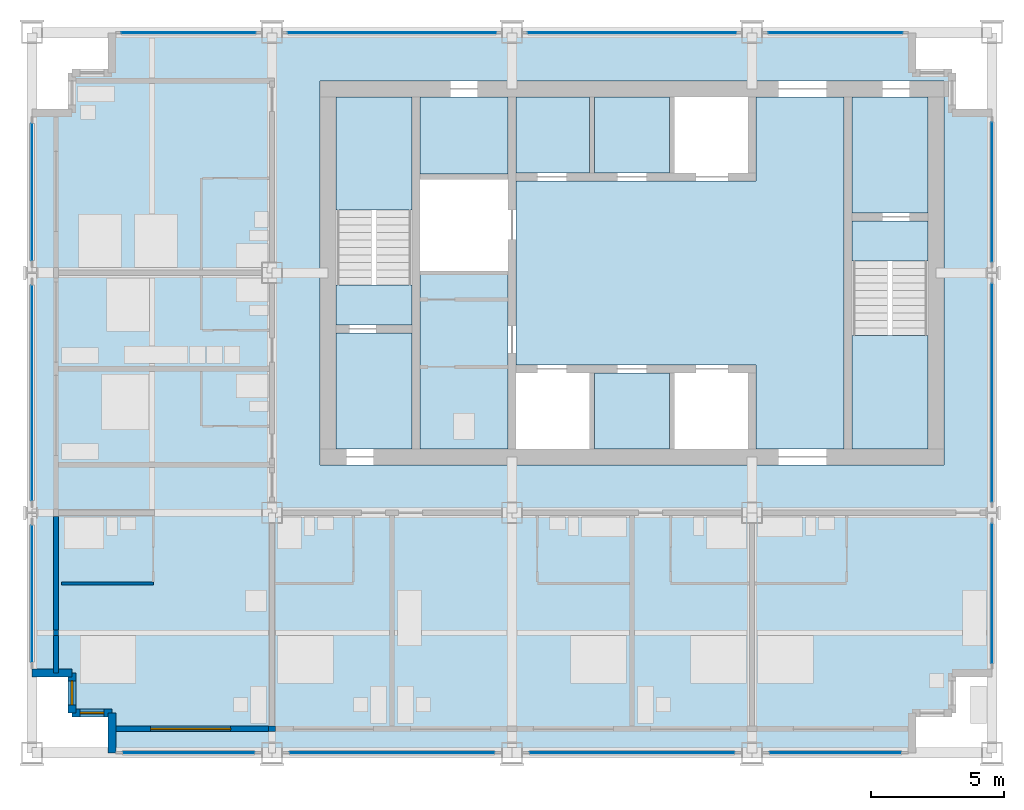
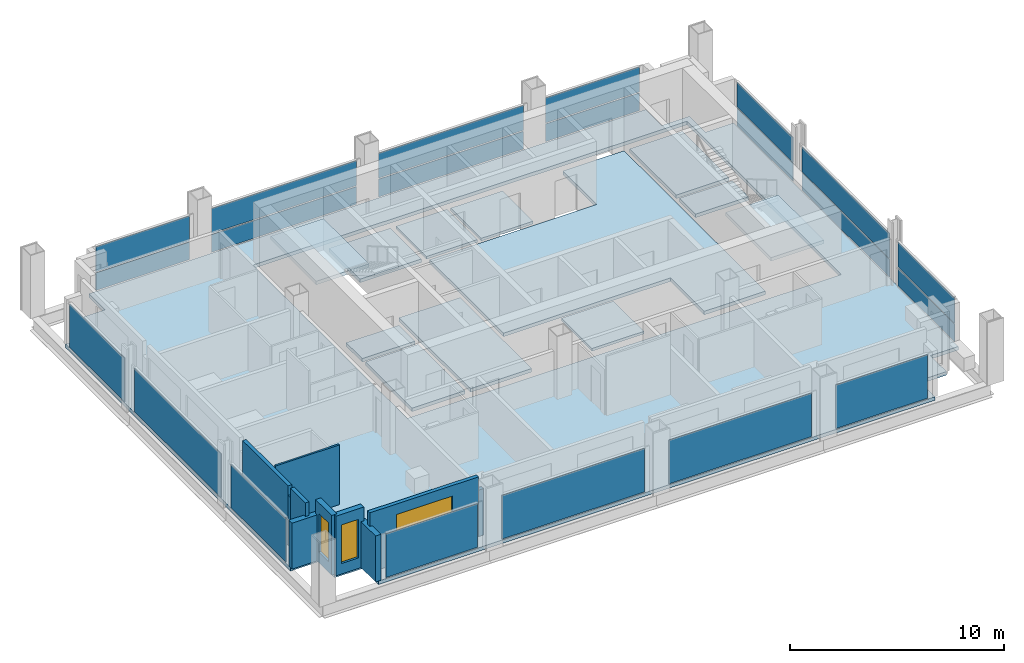
# One storey, part 5 of 12: 21 plates, 13 slabs, 10 walls, 3 windows, 3 openings, 16 elements without a shape of their own.
"""IFC4 building model written with IfcOpenShell, lengths in metres."""

from ifc_helpers import new_model, si_unit, direction, frame, frame_2d, origin, origin_2d, place, context, subcontext, project, spatial, polyline, rectangle, outline, extrude, material, layer, layer_set, type_object, element, fill, aggregate, save


model = new_model("IFC4")

# Units and contexts
model_context = context("Model", 3, precision=1e-05, world=origin(), true_north=direction((0.0, 1.0)))
body_context = subcontext(model_context, "Body", "Model", "MODEL_VIEW")
ifc_project = project(units=[si_unit("LENGTHUNIT", "METRE"), si_unit("AREAUNIT", "SQUARE_METRE"), si_unit("VOLUMEUNIT", "CUBIC_METRE"), si_unit("PLANEANGLEUNIT", "RADIAN"), si_unit("MASSUNIT", "GRAM", prefix="KILO")], contexts=[model_context])

# Site, building, storey
site_placement = place(None, origin())
site = spatial("IfcSite", under=ifc_project, at=site_placement, CompositionType="ELEMENT")
building_placement = place(site_placement, origin())
building = spatial("IfcBuilding", under=site, at=building_placement, Name="Loomwork Tower", CompositionType="ELEMENT")
storey_placement = place(building_placement, frame((0.0, 0.0, 237.39990234375)))
storey = spatial("IfcBuildingStorey", under=building, at=storey_placement, Name="L65", CompositionType="ELEMENT", Elevation=237.39990234375)

# Slabs
ifc_material_1 = material(Name="Concrete 5000 psi (34 MPa) on composite metal deck", Category="concrete")
ifc_layer_1 = layer(ifc_material_1, 0.199951171875)
ifc_layer_set_1 = layer_set([ifc_layer_1], Name="Floor slab 200")
slab_type_1 = type_object("IfcSlabType", Name="Floor slab 200", PredefinedType="FLOOR", material=ifc_layer_set_1)
slab_1_placement = place(storey_placement, frame((0.0, 0.0, -0.199951171875)))
element("IfcSlab", 1, at=slab_1_placement, inside=storey, type_object=slab_type_1, Name="Floor slab L65", PredefinedType="FLOOR", context=body_context, shape_type="SweptSolid", body=[
    extrude(outline(polyline([(3.0, 1.5), (1.5, 1.5), (1.5, 3.0), (0.0, 3.0), (0.0, 24.0), (1.5, 24.0), (1.5, 25.5), (3.0, 25.5), (3.0, 27.0), (33.0, 27.0), (33.0, 25.5), (34.5, 25.5), (34.5, 24.0), (36.0, 24.0), (36.0, 3.0), (34.5, 3.0), (34.5, 1.5), (33.0, 1.5), (33.0, 0.0), (3.0, 0.0), (3.0, 1.5)]), holes=[polyline([(10.800048828125, 11.39990234375), (10.800048828125, 11.39990234375), (10.800048828125, 10.800048828125), (34.199951171875, 10.800048828125), (34.199951171875, 11.39990234375), (34.199951171875, 11.39990234375), (34.199951171875, 24.60009765625), (34.199951171875, 25.199951171875), (10.800048828125, 25.199951171875), (10.800048828125, 24.60009765625), (10.800048828125, 11.39990234375)])]), origin(), (0.0, 0.0, 1.0), 0.199951171875),
])
slab_2_placement = place(storey_placement, frame((0.0, 0.0, -0.199951171875)))
element("IfcSlab", 2, at=slab_2_placement, inside=storey, type_object=slab_type_1, Name="Floor slab L65", PredefinedType="FLOOR", context=body_context, shape_type="SweptSolid", body=[
    extrude(outline(polyline([(30.449951171875, 24.60009765625), (30.449951171875, 11.39990234375), (27.14990234375, 11.39990234375), (27.14990234375, 14.25), (27.14990234375, 14.550048828125), (18.14990234375, 14.550048828125), (18.14990234375, 21.449951171875), (27.14990234375, 21.449951171875), (27.14990234375, 21.75), (27.14990234375, 24.60009765625), (30.449951171875, 24.60009765625)])), origin(), (0.0, 0.0, 1.0), 0.199951171875),
])
slab_3_placement = place(storey_placement, frame((0.0, 0.0, -0.199951171875)))
element("IfcSlab", 3, at=slab_3_placement, inside=storey, type_object=slab_type_1, Name="Floor slab L65", PredefinedType="FLOOR", context=body_context, shape_type="SweptSolid", body=[
    extrude(outline(polyline([(14.550048828125, 11.39990234375), (14.550048828125, 18.074951171875), (17.85009765625, 18.074951171875), (17.85009765625, 11.39990234375), (14.550048828125, 11.39990234375)])), origin(), (0.0, 0.0, 1.0), 0.199951171875),
])
slab_4_placement = place(storey_placement, frame((0.0, 0.0, -0.199951171875)))
element("IfcSlab", 4, at=slab_4_placement, inside=storey, type_object=slab_type_1, Name="Floor slab L65", PredefinedType="FLOOR", context=body_context, shape_type="SweptSolid", body=[
    extrude(outline(polyline([(33.60009765625, 20.25), (30.75, 20.25), (30.75, 24.60009765625), (33.60009765625, 24.60009765625), (33.60009765625, 20.25)])), origin(), (0.0, 0.0, 1.0), 0.199951171875),
])
slab_5_placement = place(storey_placement, frame((0.0, 0.0, -0.199951171875)))
element("IfcSlab", 5, at=slab_5_placement, inside=storey, type_object=slab_type_1, Name="Floor slab L65", PredefinedType="FLOOR", context=body_context, shape_type="SweptSolid", body=[
    extrude(outline(polyline([(14.25, 15.75), (14.25, 11.39990234375), (11.39990234375, 11.39990234375), (11.39990234375, 15.75), (14.25, 15.75)])), origin(), (0.0, 0.0, 1.0), 0.199951171875),
])
slab_6_placement = place(storey_placement, frame((0.0, 0.0, -0.199951171875)))
element("IfcSlab", 6, at=slab_6_placement, inside=storey, type_object=slab_type_1, Name="Floor slab L65", PredefinedType="FLOOR", context=body_context, shape_type="SweptSolid", body=[
    extrude(outline(polyline([(14.550048828125, 21.699951171875), (14.550048828125, 24.60009765625), (17.85009765625, 24.60009765625), (17.85009765625, 21.699951171875), (14.550048828125, 21.699951171875)])), origin(), (0.0, 0.0, 1.0), 0.199951171875),
])

# Curtain wall, plate
ifc_material_2 = material(Name="Aluminium curtain wall frame", Category="aluminium")
curtain_wall_type_1 = type_object("IfcCurtainWallType", Name="Outer skin glazing suites", PredefinedType="NOTDEFINED", material=ifc_material_2)
curtain_wall_1_placement = place(storey_placement, origin())
curtain_wall_1 = element("IfcCurtainWall", 7, at=curtain_wall_1_placement, inside=storey, type_object=curtain_wall_type_1, Name="Outer skin glazing suites cw/S-0", PredefinedType="NOTDEFINED")
ifc_material_3 = material(Name="Clear laminated glass", Category="glass")
ifc_layer_2 = layer(ifc_material_3, 0.02392578125)
ifc_layer_set_2 = layer_set([ifc_layer_2], Name="Outer skin glazing suites panel")
plate_type_1 = type_object("IfcPlateType", Name="Outer skin glazing suites panel", PredefinedType="CURTAIN_PANEL", material=ifc_layer_set_2)
plate_1_placement = place(storey_placement, frame((5.875, 0.0, 0.065185546875), z_axis=(0.0, 0.0, 1.0), x_axis=(1.0, 0.0, 0.0)))
plate_1 = element("IfcPlate", 8, at=plate_1_placement, type_object=plate_type_1, Name="CW2 panel 1.1", PredefinedType="CURTAIN_PANEL", context=body_context, shape_type="SweptSolid", body=[
    extrude(rectangle(XDim=4.949951171875, YDim=0.02392578125, at=origin_2d()), origin(), (0.0, 0.0, 1.0), 2.490234375),
])
aggregate(curtain_wall_1, [plate_1])

curtain_wall_2_placement = place(storey_placement, origin())
curtain_wall_2 = element("IfcCurtainWall", 9, at=curtain_wall_2_placement, inside=storey, type_object=curtain_wall_type_1, Name="Outer skin glazing suites cw/S-9", PredefinedType="NOTDEFINED")
plate_2_placement = place(storey_placement, frame((13.5, 0.0, 0.065185546875), z_axis=(0.0, 0.0, 1.0), x_axis=(1.0, 0.0, 0.0)))
plate_2 = element("IfcPlate", 10, at=plate_2_placement, type_object=plate_type_1, Name="CW2 panel 1.1", PredefinedType="CURTAIN_PANEL", context=body_context, shape_type="SweptSolid", body=[
    extrude(rectangle(XDim=7.699951171875, YDim=0.02392578125, at=origin_2d()), origin(), (0.0, 0.0, 1.0), 2.490234375),
])
aggregate(curtain_wall_2, [plate_2])

curtain_wall_3_placement = place(storey_placement, origin())
curtain_wall_3 = element("IfcCurtainWall", 11, at=curtain_wall_3_placement, inside=storey, type_object=curtain_wall_type_1, Name="Outer skin glazing suites cw/S-18", PredefinedType="NOTDEFINED")
plate_3_placement = place(storey_placement, frame((22.5, 0.0, 0.065185546875), z_axis=(0.0, 0.0, 1.0), x_axis=(1.0, 0.0, 0.0)))
plate_3 = element("IfcPlate", 12, at=plate_3_placement, type_object=plate_type_1, Name="CW2 panel 1.1", PredefinedType="CURTAIN_PANEL", context=body_context, shape_type="SweptSolid", body=[
    extrude(rectangle(XDim=7.699951171875, YDim=0.02392578125, at=origin_2d()), origin(), (0.0, 0.0, 1.0), 2.490234375),
])
aggregate(curtain_wall_3, [plate_3])

curtain_wall_4_placement = place(storey_placement, origin())
curtain_wall_4 = element("IfcCurtainWall", 13, at=curtain_wall_4_placement, inside=storey, type_object=curtain_wall_type_1, Name="Outer skin glazing suites cw/S-27", PredefinedType="NOTDEFINED")
plate_4_placement = place(storey_placement, frame((30.125, 0.0, 0.065185546875), z_axis=(0.0, 0.0, 1.0), x_axis=(1.0, 0.0, 0.0)))
plate_4 = element("IfcPlate", 14, at=plate_4_placement, type_object=plate_type_1, Name="CW2 panel 1.1", PredefinedType="CURTAIN_PANEL", context=body_context, shape_type="SweptSolid", body=[
    extrude(rectangle(XDim=4.949951171875, YDim=0.02392578125, at=origin_2d()), origin(), (0.0, 0.0, 1.0), 2.490234375),
])
aggregate(curtain_wall_4, [plate_4])

curtain_wall_5_placement = place(storey_placement, origin())
curtain_wall_5 = element("IfcCurtainWall", 15, at=curtain_wall_5_placement, inside=storey, type_object=curtain_wall_type_1, Name="Outer skin glazing suites cw/W-0", PredefinedType="NOTDEFINED")
plate_5_placement = place(storey_placement, frame((0.0, 5.969482421875, 0.065185546875), z_axis=(0.0, 0.0, 1.0), x_axis=(0.0, -1.0, 0.0)))
plate_5 = element("IfcPlate", 16, at=plate_5_placement, type_object=plate_type_1, Name="CW2 panel 1.1", PredefinedType="CURTAIN_PANEL", context=body_context, shape_type="SweptSolid", body=[
    extrude(rectangle(XDim=5.13916015625, YDim=0.02392578125, at=origin_2d()), origin(), (0.0, 0.0, 1.0), 2.490234375),
])
aggregate(curtain_wall_5, [plate_5])

curtain_wall_6_placement = place(storey_placement, origin())
curtain_wall_6 = element("IfcCurtainWall", 17, at=curtain_wall_6_placement, inside=storey, type_object=curtain_wall_type_1, Name="Outer skin glazing suites cw/W-9", PredefinedType="NOTDEFINED")
plate_6_placement = place(storey_placement, frame((0.0, 13.5, 0.065185546875), z_axis=(0.0, 0.0, 1.0), x_axis=(0.0, -1.0, 0.0)))
plate_6 = element("IfcPlate", 18, at=plate_6_placement, type_object=plate_type_1, Name="CW2 panel 1.1", PredefinedType="CURTAIN_PANEL", context=body_context, shape_type="SweptSolid", body=[
    extrude(rectangle(XDim=8.078369140625, YDim=0.02392578125, at=origin_2d()), origin(), (0.0, 0.0, 1.0), 2.490234375),
])
aggregate(curtain_wall_6, [plate_6])

curtain_wall_7_placement = place(storey_placement, origin())
curtain_wall_7 = element("IfcCurtainWall", 19, at=curtain_wall_7_placement, inside=storey, type_object=curtain_wall_type_1, Name="Outer skin glazing suites cw/W-18", PredefinedType="NOTDEFINED")
plate_7_placement = place(storey_placement, frame((0.0, 21.030517578125, 0.065185546875), z_axis=(0.0, 0.0, 1.0), x_axis=(0.0, -1.0, 0.0)))
plate_7 = element("IfcPlate", 20, at=plate_7_placement, type_object=plate_type_1, Name="CW2 panel 1.1", PredefinedType="CURTAIN_PANEL", context=body_context, shape_type="SweptSolid", body=[
    extrude(rectangle(XDim=5.13916015625, YDim=0.02392578125, at=origin_2d()), origin(), (0.0, 0.0, 1.0), 2.490234375),
])
aggregate(curtain_wall_7, [plate_7])

# Slabs
ifc_material_4 = material(Name="Concrete 5000 psi (34 MPa) on composite metal deck", Category="concrete")
ifc_layer_3 = layer(ifc_material_4, 0.14990234375)
ifc_layer_set_3 = layer_set([ifc_layer_3], Name="Shaft infill floor 150")
slab_type_2 = type_object("IfcSlabType", Name="Shaft infill floor 150", PredefinedType="FLOOR", material=ifc_layer_set_3)
slab_7_placement = place(storey_placement, frame((0.0, 0.0, -0.14990234375)))
element("IfcSlab", 21, at=slab_7_placement, inside=storey, type_object=slab_type_2, Name="Shaft infill floor LS1 L65", PredefinedType="FLOOR", context=body_context, shape_type="SweptSolid", body=[
    extrude(outline(polyline([(18.14990234375, 21.75), (20.89990234375, 21.75), (20.89990234375, 24.60009765625), (18.14990234375, 24.60009765625), (18.14990234375, 21.75)])), origin(), (0.0, 0.0, 1.0), 0.14990234375),
])
slab_8_placement = place(storey_placement, frame((0.0, 0.0, -0.14990234375)))
element("IfcSlab", 22, at=slab_8_placement, inside=storey, type_object=slab_type_2, Name="Shaft infill floor LS2 L65", PredefinedType="FLOOR", context=body_context, shape_type="SweptSolid", body=[
    extrude(outline(polyline([(21.10009765625, 21.75), (23.89990234375, 21.75), (23.89990234375, 24.60009765625), (21.10009765625, 24.60009765625), (21.10009765625, 21.75)])), origin(), (0.0, 0.0, 1.0), 0.14990234375),
])
slab_9_placement = place(storey_placement, frame((0.0, 0.0, -0.14990234375)))
element("IfcSlab", 23, at=slab_9_placement, inside=storey, type_object=slab_type_2, Name="Shaft infill floor S2 L65", PredefinedType="FLOOR", context=body_context, shape_type="SweptSolid", body=[
    extrude(outline(polyline([(21.10009765625, 11.39990234375), (23.89990234375, 11.39990234375), (23.89990234375, 14.25), (21.10009765625, 14.25), (21.10009765625, 11.39990234375)])), origin(), (0.0, 0.0, 1.0), 0.14990234375),
])

# Curtain wall, plates
ifc_material_5 = material(Name="Aluminium curtain wall frame", Category="aluminium")
curtain_wall_type_2 = type_object("IfcCurtainWallType", Name="Single skin glazing corridor", PredefinedType="NOTDEFINED", material=ifc_material_5)
curtain_wall_8_placement = place(storey_placement, origin())
curtain_wall_8 = element("IfcCurtainWall", 24, at=curtain_wall_8_placement, inside=storey, type_object=curtain_wall_type_2, Name="Single skin glazing corridor cw/N-0", PredefinedType="NOTDEFINED")
ifc_material_6 = material(Name="Clear insulated glass", Category="glass")
ifc_layer_4 = layer(ifc_material_6, 0.031982421875)
ifc_layer_set_4 = layer_set([ifc_layer_4], Name="Single skin glazing corridor panel")
plate_type_2 = type_object("IfcPlateType", Name="Single skin glazing corridor panel", PredefinedType="CURTAIN_PANEL", material=ifc_layer_set_4)
plate_8_placement = place(storey_placement, frame((5.875, 27.0, 0.065185546875), z_axis=(0.0, 0.0, 1.0), x_axis=(-1.0, 0.0, 0.0)))
plate_8 = element("IfcPlate", 25, at=plate_8_placement, type_object=plate_type_2, Name="CW3 panel 1.1", PredefinedType="CURTAIN_PANEL", context=body_context, shape_type="SweptSolid", body=[
    extrude(rectangle(XDim=5.050048828125, YDim=0.031982421875, at=origin_2d()), origin(), (0.0, 0.0, 1.0), 1.00244140625),
])
plate_9_placement = place(storey_placement, frame((5.875, 27.0, 1.1328125), z_axis=(0.0, 0.0, 1.0), x_axis=(-1.0, 0.0, 0.0)))
plate_9 = element("IfcPlate", 26, at=plate_9_placement, type_object=plate_type_2, Name="CW3 panel 1.2", PredefinedType="CURTAIN_PANEL", context=body_context, shape_type="SweptSolid", body=[
    extrude(rectangle(XDim=5.050048828125, YDim=0.031982421875, at=origin_2d()), origin(), (0.0, 0.0, 1.0), 1.422607421875),
])
aggregate(curtain_wall_8, [plate_8, plate_9])

curtain_wall_9_placement = place(storey_placement, origin())
curtain_wall_9 = element("IfcCurtainWall", 27, at=curtain_wall_9_placement, inside=storey, type_object=curtain_wall_type_2, Name="Single skin glazing corridor cw/N-9", PredefinedType="NOTDEFINED")
plate_10_placement = place(storey_placement, frame((13.5, 27.0, 0.065185546875), z_axis=(0.0, 0.0, 1.0), x_axis=(-1.0, 0.0, 0.0)))
plate_10 = element("IfcPlate", 28, at=plate_10_placement, type_object=plate_type_2, Name="CW3 panel 1.1", PredefinedType="CURTAIN_PANEL", context=body_context, shape_type="SweptSolid", body=[
    extrude(rectangle(XDim=7.800048828125, YDim=0.031982421875, at=origin_2d()), origin(), (0.0, 0.0, 1.0), 1.00244140625),
])
plate_11_placement = place(storey_placement, frame((13.5, 27.0, 1.1328125), z_axis=(0.0, 0.0, 1.0), x_axis=(-1.0, 0.0, 0.0)))
plate_11 = element("IfcPlate", 29, at=plate_11_placement, type_object=plate_type_2, Name="CW3 panel 1.2", PredefinedType="CURTAIN_PANEL", context=body_context, shape_type="SweptSolid", body=[
    extrude(rectangle(XDim=7.800048828125, YDim=0.031982421875, at=origin_2d()), origin(), (0.0, 0.0, 1.0), 1.422607421875),
])
aggregate(curtain_wall_9, [plate_10, plate_11])

curtain_wall_10_placement = place(storey_placement, origin())
curtain_wall_10 = element("IfcCurtainWall", 30, at=curtain_wall_10_placement, inside=storey, type_object=curtain_wall_type_2, Name="Single skin glazing corridor cw/N-18", PredefinedType="NOTDEFINED")
plate_12_placement = place(storey_placement, frame((22.5, 27.0, 0.065185546875), z_axis=(0.0, 0.0, 1.0), x_axis=(-1.0, 0.0, 0.0)))
plate_12 = element("IfcPlate", 31, at=plate_12_placement, type_object=plate_type_2, Name="CW3 panel 1.1", PredefinedType="CURTAIN_PANEL", context=body_context, shape_type="SweptSolid", body=[
    extrude(rectangle(XDim=7.800048828125, YDim=0.031982421875, at=origin_2d()), origin(), (0.0, 0.0, 1.0), 1.00244140625),
])
plate_13_placement = place(storey_placement, frame((22.5, 27.0, 1.1328125), z_axis=(0.0, 0.0, 1.0), x_axis=(-1.0, 0.0, 0.0)))
plate_13 = element("IfcPlate", 32, at=plate_13_placement, type_object=plate_type_2, Name="CW3 panel 1.2", PredefinedType="CURTAIN_PANEL", context=body_context, shape_type="SweptSolid", body=[
    extrude(rectangle(XDim=7.800048828125, YDim=0.031982421875, at=origin_2d()), origin(), (0.0, 0.0, 1.0), 1.422607421875),
])
aggregate(curtain_wall_10, [plate_12, plate_13])

curtain_wall_11_placement = place(storey_placement, origin())
curtain_wall_11 = element("IfcCurtainWall", 33, at=curtain_wall_11_placement, inside=storey, type_object=curtain_wall_type_2, Name="Single skin glazing corridor cw/N-27", PredefinedType="NOTDEFINED")
plate_14_placement = place(storey_placement, frame((30.125, 27.0, 0.065185546875), z_axis=(0.0, 0.0, 1.0), x_axis=(-1.0, 0.0, 0.0)))
plate_14 = element("IfcPlate", 34, at=plate_14_placement, type_object=plate_type_2, Name="CW3 panel 1.1", PredefinedType="CURTAIN_PANEL", context=body_context, shape_type="SweptSolid", body=[
    extrude(rectangle(XDim=5.050048828125, YDim=0.031982421875, at=origin_2d()), origin(), (0.0, 0.0, 1.0), 1.00244140625),
])
plate_15_placement = place(storey_placement, frame((30.125, 27.0, 1.1328125), z_axis=(0.0, 0.0, 1.0), x_axis=(-1.0, 0.0, 0.0)))
plate_15 = element("IfcPlate", 35, at=plate_15_placement, type_object=plate_type_2, Name="CW3 panel 1.2", PredefinedType="CURTAIN_PANEL", context=body_context, shape_type="SweptSolid", body=[
    extrude(rectangle(XDim=5.050048828125, YDim=0.031982421875, at=origin_2d()), origin(), (0.0, 0.0, 1.0), 1.422607421875),
])
aggregate(curtain_wall_11, [plate_14, plate_15])

curtain_wall_12_placement = place(storey_placement, origin())
curtain_wall_12 = element("IfcCurtainWall", 36, at=curtain_wall_12_placement, inside=storey, type_object=curtain_wall_type_2, Name="Single skin glazing corridor cw/E-0", PredefinedType="NOTDEFINED")
plate_16_placement = place(storey_placement, frame((36.0, 5.969482421875, 0.065185546875), z_axis=(0.0, 0.0, 1.0), x_axis=(0.0, 1.0, 0.0)))
plate_16 = element("IfcPlate", 37, at=plate_16_placement, type_object=plate_type_2, Name="CW3 panel 1.1", PredefinedType="CURTAIN_PANEL", context=body_context, shape_type="SweptSolid", body=[
    extrude(rectangle(XDim=5.2392578125, YDim=0.031982421875, at=origin_2d()), origin(), (0.0, 0.0, 1.0), 1.00244140625),
])
plate_17_placement = place(storey_placement, frame((36.0, 5.969482421875, 1.1328125), z_axis=(0.0, 0.0, 1.0), x_axis=(0.0, 1.0, 0.0)))
plate_17 = element("IfcPlate", 38, at=plate_17_placement, type_object=plate_type_2, Name="CW3 panel 1.2", PredefinedType="CURTAIN_PANEL", context=body_context, shape_type="SweptSolid", body=[
    extrude(rectangle(XDim=5.2392578125, YDim=0.031982421875, at=origin_2d()), origin(), (0.0, 0.0, 1.0), 1.422607421875),
])
aggregate(curtain_wall_12, [plate_16, plate_17])

curtain_wall_13_placement = place(storey_placement, origin())
curtain_wall_13 = element("IfcCurtainWall", 39, at=curtain_wall_13_placement, inside=storey, type_object=curtain_wall_type_2, Name="Single skin glazing corridor cw/E-9", PredefinedType="NOTDEFINED")
plate_18_placement = place(storey_placement, frame((36.0, 13.5, 0.065185546875), z_axis=(0.0, 0.0, 1.0), x_axis=(0.0, 1.0, 0.0)))
plate_18 = element("IfcPlate", 40, at=plate_18_placement, type_object=plate_type_2, Name="CW3 panel 1.1", PredefinedType="CURTAIN_PANEL", context=body_context, shape_type="SweptSolid", body=[
    extrude(rectangle(XDim=8.178466796875, YDim=0.031982421875, at=origin_2d()), origin(), (0.0, 0.0, 1.0), 1.00244140625),
])
plate_19_placement = place(storey_placement, frame((36.0, 13.5, 1.1328125), z_axis=(0.0, 0.0, 1.0), x_axis=(0.0, 1.0, 0.0)))
plate_19 = element("IfcPlate", 41, at=plate_19_placement, type_object=plate_type_2, Name="CW3 panel 1.2", PredefinedType="CURTAIN_PANEL", context=body_context, shape_type="SweptSolid", body=[
    extrude(rectangle(XDim=8.178466796875, YDim=0.031982421875, at=origin_2d()), origin(), (0.0, 0.0, 1.0), 1.422607421875),
])
aggregate(curtain_wall_13, [plate_18, plate_19])

curtain_wall_14_placement = place(storey_placement, origin())
curtain_wall_14 = element("IfcCurtainWall", 42, at=curtain_wall_14_placement, inside=storey, type_object=curtain_wall_type_2, Name="Single skin glazing corridor cw/E-18", PredefinedType="NOTDEFINED")
plate_20_placement = place(storey_placement, frame((36.0, 21.030517578125, 0.065185546875), z_axis=(0.0, 0.0, 1.0), x_axis=(0.0, 1.0, 0.0)))
plate_20 = element("IfcPlate", 43, at=plate_20_placement, type_object=plate_type_2, Name="CW3 panel 1.1", PredefinedType="CURTAIN_PANEL", context=body_context, shape_type="SweptSolid", body=[
    extrude(rectangle(XDim=5.2392578125, YDim=0.031982421875, at=origin_2d()), origin(), (0.0, 0.0, 1.0), 1.00244140625),
])
plate_21_placement = place(storey_placement, frame((36.0, 21.030517578125, 1.1328125), z_axis=(0.0, 0.0, 1.0), x_axis=(0.0, 1.0, 0.0)))
plate_21 = element("IfcPlate", 44, at=plate_21_placement, type_object=plate_type_2, Name="CW3 panel 1.2", PredefinedType="CURTAIN_PANEL", context=body_context, shape_type="SweptSolid", body=[
    extrude(rectangle(XDim=5.2392578125, YDim=0.031982421875, at=origin_2d()), origin(), (0.0, 0.0, 1.0), 1.422607421875),
])
aggregate(curtain_wall_14, [plate_20, plate_21])

# Stair, slabs
ifc_material_7 = material(Name="Concrete 5000 psi (34 MPa) precast stair", Category="concrete")
stair_type_1 = type_object("IfcStairType", Name="Stair ST-A 22 risers 2850 wide", PredefinedType="HALF_TURN_STAIR", material=ifc_material_7)
stair_1_placement = place(storey_placement, origin())
stair_1 = element("IfcStair", 45, at=stair_1_placement, inside=storey, type_object=stair_type_1, Name="Stair A L65", PredefinedType="HALF_TURN_STAIR")
ifc_material_8 = material(Name="Concrete 5000 psi (34 MPa)", Category="concrete")
ifc_layer_5 = layer(ifc_material_8, 0.199951171875)
ifc_layer_set_5 = layer_set([ifc_layer_5], Name="Stair landing 200")
slab_type_3 = type_object("IfcSlabType", Name="Stair landing 200", PredefinedType="LANDING", material=ifc_layer_set_5)
slab_10_placement = place(storey_placement, frame((0.0, 0.0, -0.199951171875)))
slab_10 = element("IfcSlab", 46, at=slab_10_placement, type_object=slab_type_3, Name="ST-A landing 1", PredefinedType="LANDING", context=body_context, shape_type="SweptSolid", body=[
    extrude(outline(polyline([(11.39990234375, 16.050048828125), (14.25, 16.050048828125), (14.25, 17.550048828125), (11.39990234375, 17.550048828125), (11.39990234375, 16.050048828125)])), origin(), (0.0, 0.0, 1.0), 0.199951171875),
])
slab_11_placement = place(storey_placement, frame((0.0, 0.0, 1.60009765625)))
slab_11 = element("IfcSlab", 47, at=slab_11_placement, type_object=slab_type_3, Name="ST-A landing 2", PredefinedType="LANDING", context=body_context, shape_type="SweptSolid", body=[
    extrude(outline(polyline([(11.39990234375, 20.35009765625), (14.25, 20.35009765625), (14.25, 24.60009765625), (11.39990234375, 24.60009765625), (11.39990234375, 20.35009765625)])), origin(), (0.0, 0.0, 1.0), 0.199951171875),
])
aggregate(stair_1, [slab_10, slab_11])

ifc_material_9 = material(Name="Concrete 5000 psi (34 MPa) precast stair", Category="concrete")
stair_type_2 = type_object("IfcStairType", Name="Stair ST-B 22 risers 2850 wide", PredefinedType="HALF_TURN_STAIR", material=ifc_material_9)
stair_2_placement = place(storey_placement, origin())
stair_2 = element("IfcStair", 48, at=stair_2_placement, inside=storey, type_object=stair_type_2, Name="Stair B L65", PredefinedType="HALF_TURN_STAIR")
slab_12_placement = place(storey_placement, frame((0.0, 0.0, -0.199951171875)))
slab_12 = element("IfcSlab", 49, at=slab_12_placement, type_object=slab_type_3, Name="ST-B landing 1", PredefinedType="LANDING", context=body_context, shape_type="SweptSolid", body=[
    extrude(outline(polyline([(30.75, 18.449951171875), (33.60009765625, 18.449951171875), (33.60009765625, 19.949951171875), (30.75, 19.949951171875), (30.75, 18.449951171875)])), origin(), (0.0, 0.0, 1.0), 0.199951171875),
])
slab_13_placement = place(storey_placement, frame((0.0, 0.0, 1.60009765625)))
slab_13 = element("IfcSlab", 50, at=slab_13_placement, type_object=slab_type_3, Name="ST-B landing 2", PredefinedType="LANDING", context=body_context, shape_type="SweptSolid", body=[
    extrude(outline(polyline([(30.75, 11.39990234375), (33.60009765625, 11.39990234375), (33.60009765625, 15.64990234375), (30.75, 15.64990234375), (30.75, 11.39990234375)])), origin(), (0.0, 0.0, 1.0), 0.199951171875),
])
aggregate(stair_2, [slab_12, slab_13])

# Wall
ifc_material_10 = material(Name="Cement board on steel studs", Category="steel")
ifc_layer_6 = layer(ifc_material_10, 0.10009765625)
ifc_layer_set_6 = layer_set([ifc_layer_6], Name="En-suite partition 100")
wall_type_1 = type_object("IfcWallType", Name="En-suite partition 100", PredefinedType="PARTITIONING", material=ifc_layer_set_6)
wall_1_placement = place(storey_placement, frame((1.10009765625, 6.35009765625, 0.0), z_axis=(0.0, 0.0, 1.0), x_axis=(1.0, 0.0, 0.0)))
element("IfcWall", 51, at=wall_1_placement, inside=storey, type_object=wall_type_1, Name="En-suite wall L65 room 1", PredefinedType="PARTITIONING", context=body_context, shape_type="SweptSolid", body=[
    extrude(rectangle(XDim=3.449951171875, YDim=0.10009765625, at=frame_2d((1.72509765625, 0.0))), origin(), (0.0, 0.0, 1.0), 3.400146484375),
])

# Wall, opening, window
ifc_material_11 = material(Name="Insulated steel stud wall with gypsum lining", Category="steel")
ifc_layer_7 = layer(ifc_material_11, 0.199951171875)
ifc_layer_set_7 = layer_set([ifc_layer_7], Name="Inner skin wall 200")
wall_type_2 = type_object("IfcWallType", Name="Inner skin wall 200", PredefinedType="SOLIDWALL", material=ifc_layer_set_7)
wall_2_placement = place(storey_placement, frame((3.0, 0.89990234375, 0.0), z_axis=(0.0, 0.0, 1.0), x_axis=(1.0, 0.0, 0.0)))
wall_2 = element("IfcWall", 52, at=wall_2_placement, inside=storey, type_object=wall_type_2, Name="Inner skin wall S", PredefinedType="SOLIDWALL", context=body_context, shape_type="SweptSolid", body=[
    extrude(rectangle(XDim=5.86474609375, YDim=0.199951171875, at=frame_2d((2.932373046875, 0.0))), origin(), (0.0, 0.0, 1.0), 3.400146484375),
])
opening_1_placement = place(wall_2_placement, frame((1.449951171875, 0.0, 0.60009765625)))
opening_1 = element("IfcOpeningElement", 53, at=opening_1_placement, cuts=wall_2, Name="Opening CH1", PredefinedType="OPENING", context=body_context, shape_type="SweptSolid", body=[
    extrude(rectangle(XDim=3.0, YDim=2.199951171875, at=frame_2d((1.5, 1.10009765625))), frame((0.0, 0.10986328125, 0.0), z_axis=(0.0, -1.0, 0.0), x_axis=(1.0, 0.0, 0.0)), (0.0, 0.0, 1.0), 0.219970703125),
])
ifc_material_12 = material(Name="Aluminium frame with clear insulated glass", Category="aluminium")
window_type_1 = type_object("IfcWindowType", Name="Chicago window 3000", PartitioningType="TRIPLE_PANEL_VERTICAL", PredefinedType="WINDOW", material=ifc_material_12)
window_1_placement = place(opening_1_placement, origin())
window_1 = element("IfcWindow", 54, at=window_1_placement, inside=storey, type_object=window_type_1, Name="Chicago window L65 bay 1", OverallHeight=2.199951171875, OverallWidth=3.0, PartitioningType="TRIPLE_PANEL_VERTICAL", PredefinedType="WINDOW", context=body_context, shape_type="SweptSolid", body=[
    extrude(rectangle(XDim=3.0, YDim=2.199951171875, at=frame_2d((1.5, 1.10009765625))), frame((0.0, 0.030029296875, 0.0), z_axis=(0.0, -1.0, 0.0), x_axis=(1.0, 0.0, 0.0)), (0.0, 0.0, 1.0), 0.06005859375),
])
fill(opening_1, window_1)

# Walls
wall_3_placement = place(storey_placement, frame((0.89990234375, 3.0, 0.0), z_axis=(0.0, 0.0, 1.0), x_axis=(0.0, 1.0, 0.0)))
element("IfcWall", 55, at=wall_3_placement, inside=storey, type_object=wall_type_2, Name="Inner skin wall W", PredefinedType="SOLIDWALL", context=body_context, shape_type="SweptSolid", body=[
    extrude(rectangle(XDim=1.392578125, YDim=0.199951171875, at=frame_2d((0.6962890625, 0.0))), origin(), (0.0, 0.0, 1.0), 3.400146484375),
])
wall_4_placement = place(storey_placement, frame((8.86474609375, 0.89990234375, 0.0), z_axis=(0.0, 0.0, 1.0), x_axis=(1.0, 0.0, 0.0)))
element("IfcWall", 56, at=wall_4_placement, inside=storey, type_object=wall_type_2, Name="Inner skin wall S bay 2", PredefinedType="SOLIDWALL", context=body_context, shape_type="SweptSolid", body=[
    extrude(rectangle(XDim=0.2705078125, YDim=0.199951171875, at=frame_2d((0.13525390625, 0.0))), origin(), (0.0, 0.0, 1.0), 2.63818359375),
])
wall_5_placement = place(storey_placement, frame((0.89990234375, 4.392578125, 0.0), z_axis=(0.0, 0.0, 1.0), x_axis=(0.0, 1.0, 0.0)))
element("IfcWall", 57, at=wall_5_placement, inside=storey, type_object=wall_type_2, Name="Inner skin wall W bay 2", PredefinedType="SOLIDWALL", context=body_context, shape_type="SweptSolid", body=[
    extrude(rectangle(XDim=0.21484375, YDim=0.199951171875, at=frame_2d((0.107421875, 0.0))), origin(), (0.0, 0.0, 1.0), 2.861083984375),
])
wall_6_placement = place(storey_placement, frame((0.89990234375, 4.607421875, 0.0), z_axis=(0.0, 0.0, 1.0), x_axis=(0.0, 1.0, 0.0)))
element("IfcWall", 58, at=wall_6_placement, inside=storey, type_object=wall_type_2, Name="Inner skin wall W bay 3", PredefinedType="SOLIDWALL", context=body_context, shape_type="SweptSolid", body=[
    extrude(rectangle(XDim=4.25732421875, YDim=0.199951171875, at=frame_2d((2.128662109375, 0.0))), origin(), (0.0, 0.0, 1.0), 3.400146484375),
])
ifc_material_13 = material(Name="Limestone on concrete masonry", Category="masonry")
ifc_layer_8 = layer(ifc_material_13, 0.300048828125)
ifc_layer_set_8 = layer_set([ifc_layer_8], Name="Limestone corner wall 300")
wall_type_3 = type_object("IfcWallType", Name="Limestone corner wall 300", PredefinedType="SOLIDWALL", material=ifc_layer_set_8)
wall_7_placement = place(storey_placement, frame((0.0, 3.0, 0.0), z_axis=(0.0, 0.0, 1.0), x_axis=(1.0, 0.0, 0.0)))
element("IfcWall", 59, at=wall_7_placement, inside=storey, type_object=wall_type_3, Name="Stone corner wall SW 1", PredefinedType="SOLIDWALL", context=body_context, shape_type="SweptSolid", body=[
    extrude(rectangle(XDim=1.5, YDim=0.300048828125, at=frame_2d((0.75, 0.0))), origin(), (0.0, 0.0, 1.0), 2.6201171875),
])

# Wall, opening, window
wall_8_placement = place(storey_placement, frame((1.5, 3.0, 0.0), z_axis=(0.0, 0.0, 1.0), x_axis=(0.0, -1.0, 0.0)))
wall_8 = element("IfcWall", 60, at=wall_8_placement, inside=storey, type_object=wall_type_3, Name="Stone corner wall SW 2", PredefinedType="SOLIDWALL", context=body_context, shape_type="SweptSolid", body=[
    extrude(rectangle(XDim=1.5, YDim=0.300048828125, at=frame_2d((0.75, 0.0))), origin(), (0.0, 0.0, 1.0), 3.400146484375),
])
opening_2_placement = place(wall_8_placement, frame((0.300048828125, 0.0, 0.60009765625)))
opening_2 = element("IfcOpeningElement", 61, at=opening_2_placement, cuts=wall_8, Name="Opening CH2", PredefinedType="OPENING", context=body_context, shape_type="SweptSolid", body=[
    extrude(rectangle(XDim=0.89990234375, YDim=2.199951171875, at=frame_2d((0.449951171875, 1.10009765625))), frame((0.0, 0.159912109375, 0.0), z_axis=(0.0, -1.0, 0.0), x_axis=(1.0, 0.0, 0.0)), (0.0, 0.0, 1.0), 0.320068359375),
])
ifc_material_14 = material(Name="Aluminium frame with clear insulated glass", Category="aluminium")
window_type_2 = type_object("IfcWindowType", Name="Corner window 900", PartitioningType="SINGLE_PANEL", PredefinedType="WINDOW", material=ifc_material_14)
window_2_placement = place(opening_2_placement, origin())
window_2 = element("IfcWindow", 62, at=window_2_placement, inside=storey, type_object=window_type_2, Name="Corner window SW", OverallHeight=2.199951171875, OverallWidth=0.89990234375, PartitioningType="SINGLE_PANEL", PredefinedType="WINDOW", context=body_context, shape_type="SweptSolid", body=[
    extrude(rectangle(XDim=0.89990234375, YDim=2.199951171875, at=frame_2d((0.449951171875, 1.10009765625))), frame((0.0, 0.030029296875, 0.0), z_axis=(0.0, -1.0, 0.0), x_axis=(1.0, 0.0, 0.0)), (0.0, 0.0, 1.0), 0.06005859375),
])
fill(opening_2, window_2)

wall_9_placement = place(storey_placement, frame((1.5, 1.5, 0.0), z_axis=(0.0, 0.0, 1.0), x_axis=(1.0, 0.0, 0.0)))
wall_9 = element("IfcWall", 63, at=wall_9_placement, inside=storey, type_object=wall_type_3, Name="Stone corner wall SW 3", PredefinedType="SOLIDWALL", context=body_context, shape_type="SweptSolid", body=[
    extrude(rectangle(XDim=1.5, YDim=0.300048828125, at=frame_2d((0.75, 0.0))), origin(), (0.0, 0.0, 1.0), 3.400146484375),
])
opening_3_placement = place(wall_9_placement, frame((0.300048828125, 0.0, 0.60009765625)))
opening_3 = element("IfcOpeningElement", 64, at=opening_3_placement, cuts=wall_9, Name="Opening CH2", PredefinedType="OPENING", context=body_context, shape_type="SweptSolid", body=[
    extrude(rectangle(XDim=0.89990234375, YDim=2.199951171875, at=frame_2d((0.449951171875, 1.10009765625))), frame((0.0, 0.159912109375, 0.0), z_axis=(0.0, -1.0, 0.0), x_axis=(1.0, 0.0, 0.0)), (0.0, 0.0, 1.0), 0.320068359375),
])
window_3_placement = place(opening_3_placement, origin())
window_3 = element("IfcWindow", 65, at=window_3_placement, inside=storey, type_object=window_type_2, Name="Corner window SW", OverallHeight=2.199951171875, OverallWidth=0.89990234375, PartitioningType="SINGLE_PANEL", PredefinedType="WINDOW", context=body_context, shape_type="SweptSolid", body=[
    extrude(rectangle(XDim=0.89990234375, YDim=2.199951171875, at=frame_2d((0.449951171875, 1.10009765625))), frame((0.0, 0.030029296875, 0.0), z_axis=(0.0, -1.0, 0.0), x_axis=(1.0, 0.0, 0.0)), (0.0, 0.0, 1.0), 0.06005859375),
])
fill(opening_3, window_3)

# Wall
wall_10_placement = place(storey_placement, frame((3.0, 1.5, 0.0), z_axis=(0.0, 0.0, 1.0), x_axis=(0.0, -1.0, 0.0)))
element("IfcWall", 66, at=wall_10_placement, inside=storey, type_object=wall_type_3, Name="Stone corner wall SW 4", PredefinedType="SOLIDWALL", context=body_context, shape_type="SweptSolid", body=[
    extrude(rectangle(XDim=1.5, YDim=0.300048828125, at=frame_2d((0.75, 0.0))), origin(), (0.0, 0.0, 1.0), 2.6201171875),
])

save(model, "model.ifc")
